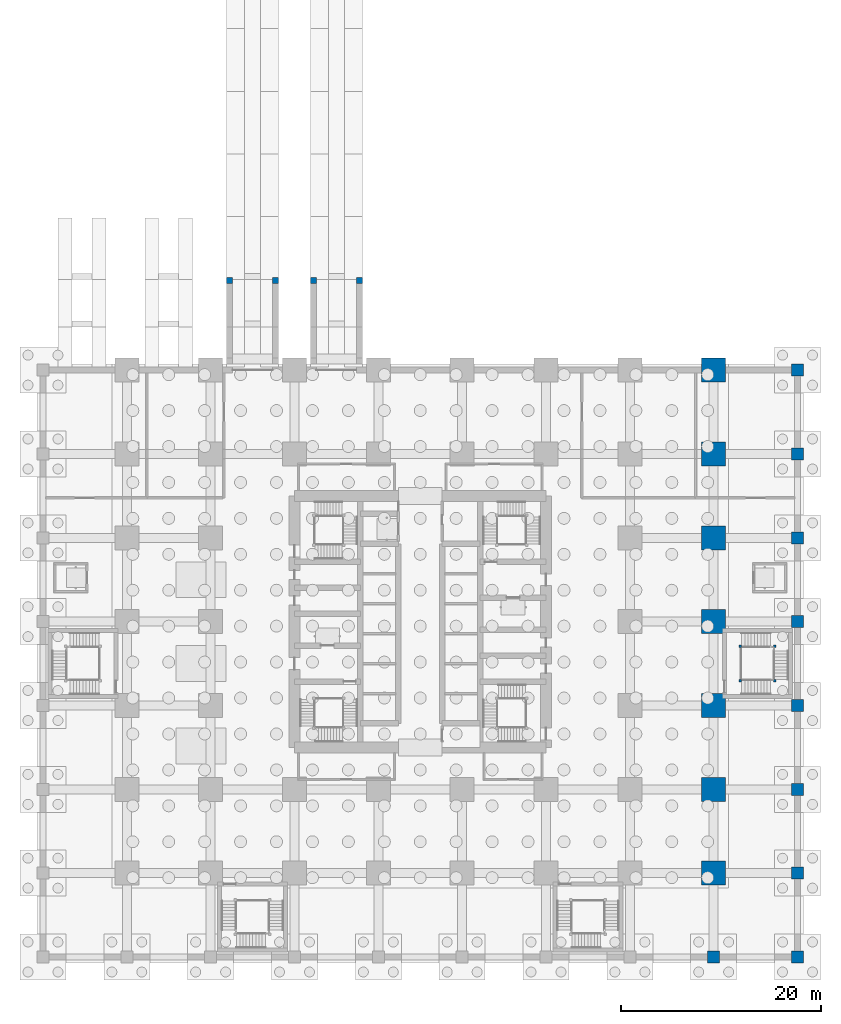
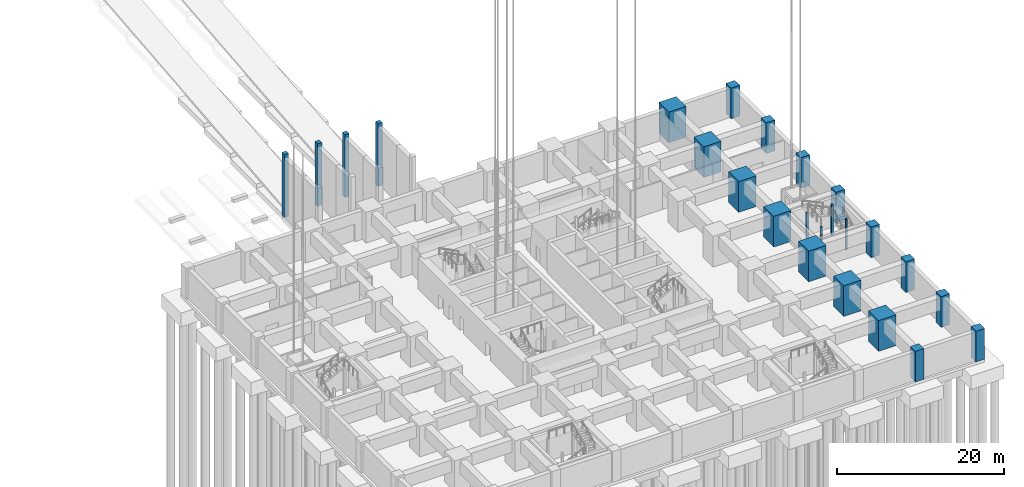
# One storey, part 5 of 28: 24 columns.
"""IFC4 building model written with IfcOpenShell, lengths in metres."""

from ifc_helpers import new_model, si_unit, direction, frame, origin, origin_2d, place, context, subcontext, project, spatial, rectangle, extrude, material, material_profile, profile_set, type_object, element, save


model = new_model("IFC4")

# Units and contexts
model_context = context("Model", 3, precision=1e-05, world=origin(), true_north=direction((0.0, 1.0)))
body_context = subcontext(model_context, "Body", "Model", "MODEL_VIEW")
ifc_project = project(units=[si_unit("LENGTHUNIT", "METRE"), si_unit("AREAUNIT", "SQUARE_METRE"), si_unit("VOLUMEUNIT", "CUBIC_METRE"), si_unit("PLANEANGLEUNIT", "RADIAN"), si_unit("MASSUNIT", "GRAM", prefix="KILO")], contexts=[model_context])

# Site, building, storey
site_placement = place(None, origin())
site = spatial("IfcSite", under=ifc_project, at=site_placement, CompositionType="ELEMENT")
building_placement = place(site_placement, origin())
building = spatial("IfcBuilding", under=site, at=building_placement, Name="Rekha Terrace Tower", CompositionType="ELEMENT")
storey_placement = place(building_placement, frame((0.0, 0.0, -9.89990234375)))
storey = spatial("IfcBuildingStorey", under=building, at=storey_placement, Name="B-02", CompositionType="ELEMENT", Elevation=-9.89990234375)

# Columns
ifc_material_1 = material(Name="Concrete M70", Category="concrete")
ifc_material_profile_1 = material_profile(ifc_material_1, rectangle(XDim=2.39990234375, YDim=2.39990234375, at=origin_2d()), Name="RC 2400x2400")
ifc_profile_set_1 = profile_set([ifc_material_profile_1], Name="Concrete M70")
column_type_1 = type_object("IfcColumnType", Name="C1 2400x2400 column", PredefinedType="COLUMN", material=ifc_profile_set_1)
for number, where, z_axis, x_axis, name in (
    (1, (67.199951171875, 8.39990234375, 0.0), (0.0, 0.0, 1.0), (1.0, 0.0, 0.0), "Column C1 9/B B-02"),
    (2, (67.199951171875, 16.800048828125, 0.0), (0.0, 0.0, 1.0), (1.0, 0.0, 0.0), "Column C1 9/C B-02"),
    (3, (67.199951171875, 25.199951171875, 0.0), (0.0, 0.0, 1.0), (1.0, 0.0, 0.0), "Column C1 9/D B-02"),
    (4, (67.199951171875, 33.60009765625, 0.0), (0.0, 0.0, 1.0), (1.0, 0.0, 0.0), "Column C1 9/E B-02"),
    (5, (67.199951171875, 42.0, 0.0), (0.0, 0.0, 1.0), (1.0, 0.0, 0.0), "Column C1 9/F B-02"),
    (6, (67.199951171875, 50.39990234375, 0.0), (0.0, 0.0, 1.0), (1.0, 0.0, 0.0), "Column C1 9/G B-02"),
    (7, (67.199951171875, 58.800048828125, 0.0), (0.0, 0.0, 1.0), (1.0, 0.0, 0.0), "Column C1 9/H B-02"),
):
    element("IfcColumn", number, at=place(storey_placement, frame(where, z_axis=z_axis, x_axis=x_axis)), inside=storey, type_object=column_type_1, Name=name, PredefinedType="COLUMN", context=body_context, shape_type="SweptSolid", body=[
        extrude(rectangle(XDim=2.39990234375, YDim=2.39990234375, at=origin_2d()), origin(), (0.0, 0.0, 1.0), 4.5),
    ])
ifc_material_2 = material(Name="Concrete M60", Category="concrete")
ifc_material_profile_2 = material_profile(ifc_material_2, rectangle(XDim=1.199951171875, YDim=1.199951171875, at=origin_2d()), Name="RC 1200x1200")
ifc_profile_set_2 = profile_set([ifc_material_profile_2], Name="Concrete M60")
column_type_2 = type_object("IfcColumnType", Name="C6 1200x1200 podium column", PredefinedType="COLUMN", material=ifc_profile_set_2)
for number, where, z_axis, x_axis, name in (
    (8, (67.199951171875, 0.0, 0.0), (0.0, 0.0, 1.0), (1.0, 0.0, 0.0), "Column C6 9/A B-02"),
    (9, (75.60009765625, 0.0, 0.0), (0.0, 0.0, 1.0), (1.0, 0.0, 0.0), "Column C6 10/A B-02"),
    (10, (75.60009765625, 8.39990234375, 0.0), (0.0, 0.0, 1.0), (1.0, 0.0, 0.0), "Column C6 10/B B-02"),
    (11, (75.60009765625, 16.800048828125, 0.0), (0.0, 0.0, 1.0), (1.0, 0.0, 0.0), "Column C6 10/C B-02"),
    (12, (75.60009765625, 25.199951171875, 0.0), (0.0, 0.0, 1.0), (1.0, 0.0, 0.0), "Column C6 10/D B-02"),
    (13, (75.60009765625, 33.60009765625, 0.0), (0.0, 0.0, 1.0), (1.0, 0.0, 0.0), "Column C6 10/E B-02"),
    (14, (75.60009765625, 42.0, 0.0), (0.0, 0.0, 1.0), (1.0, 0.0, 0.0), "Column C6 10/F B-02"),
    (15, (75.60009765625, 50.39990234375, 0.0), (0.0, 0.0, 1.0), (1.0, 0.0, 0.0), "Column C6 10/G B-02"),
    (16, (75.60009765625, 58.800048828125, 0.0), (0.0, 0.0, 1.0), (1.0, 0.0, 0.0), "Column C6 10/H B-02"),
):
    element("IfcColumn", number, at=place(storey_placement, frame(where, z_axis=z_axis, x_axis=x_axis)), inside=storey, type_object=column_type_2, Name=name, PredefinedType="COLUMN", context=body_context, shape_type="SweptSolid", body=[
        extrude(rectangle(XDim=1.199951171875, YDim=1.199951171875, at=origin_2d()), origin(), (0.0, 0.0, 1.0), 4.5),
    ])
ifc_material_3 = material(Name="Concrete M40", Category="concrete")
ifc_material_profile_3 = material_profile(ifc_material_3, rectangle(XDim=0.60009765625, YDim=0.60009765625, at=origin_2d()), Name="RC 600x600")
ifc_profile_set_3 = profile_set([ifc_material_profile_3], Name="Concrete M40")
column_type_3 = type_object("IfcColumnType", Name="DP1 600x600 bridge pier", PredefinedType="COLUMN", material=ifc_profile_set_3)
for number, where, z_axis, x_axis, name in (
    (17, (18.699951171875, 67.800048828125, -0.300048828125), (0.0, 0.0, 1.0), (1.0, 0.0, 0.0), "Ramp 3 bridge pier W2"),
    (18, (23.300048828125, 67.800048828125, -0.300048828125), (0.0, 0.0, 1.0), (1.0, 0.0, 0.0), "Ramp 3 bridge pier E2"),
    (19, (27.10009765625, 67.800048828125, -0.300048828125), (0.0, 0.0, 1.0), (1.0, 0.0, 0.0), "Ramp 4 bridge pier W2"),
    (20, (31.699951171875, 67.800048828125, -0.300048828125), (0.0, 0.0, 1.0), (1.0, 0.0, 0.0), "Ramp 4 bridge pier E2"),
):
    element("IfcColumn", number, at=place(storey_placement, frame(where, z_axis=z_axis, x_axis=x_axis)), inside=storey, type_object=column_type_3, Name=name, PredefinedType="COLUMN", context=body_context, shape_type="SweptSolid", body=[
        extrude(rectangle(XDim=0.60009765625, YDim=0.60009765625, at=origin_2d()), origin(), (0.0, 0.0, 1.0), 9.199951171875),
    ])
ifc_material_profile_4 = material_profile(ifc_material_2, rectangle(XDim=0.25, YDim=0.25, at=origin_2d()), Name="RC 250x250")
ifc_profile_set_4 = profile_set([ifc_material_profile_4], Name="Concrete M60")
column_type_4 = type_object("IfcColumnType", Name="NP1 250x250 stair newel post", PredefinedType="COLUMN", material=ifc_profile_set_4)
for number, where, z_axis, x_axis, name in (
    (21, (69.875, 27.675048828125, 0.0), (0.0, 0.0, 1.0), (1.0, 0.0, 0.0), "Stair newel post NP1"),
    (22, (73.324951171875, 27.675048828125, 0.0), (0.0, 0.0, 1.0), (1.0, 0.0, 0.0), "Stair newel post NP1"),
    (23, (73.324951171875, 31.125, 0.0), (0.0, 0.0, 1.0), (1.0, 0.0, 0.0), "Stair newel post NP1"),
    (24, (69.875, 31.125, 0.0), (0.0, 0.0, 1.0), (1.0, 0.0, 0.0), "Stair newel post NP1"),
):
    element("IfcColumn", number, at=place(storey_placement, frame(where, z_axis=z_axis, x_axis=x_axis)), inside=storey, type_object=column_type_4, Name=name, PredefinedType="COLUMN", context=body_context, shape_type="SweptSolid", body=[
        extrude(rectangle(XDim=0.25, YDim=0.25, at=origin_2d()), origin(), (0.0, 0.0, 1.0), 4.5),
    ])

save(model, "model.ifc")
